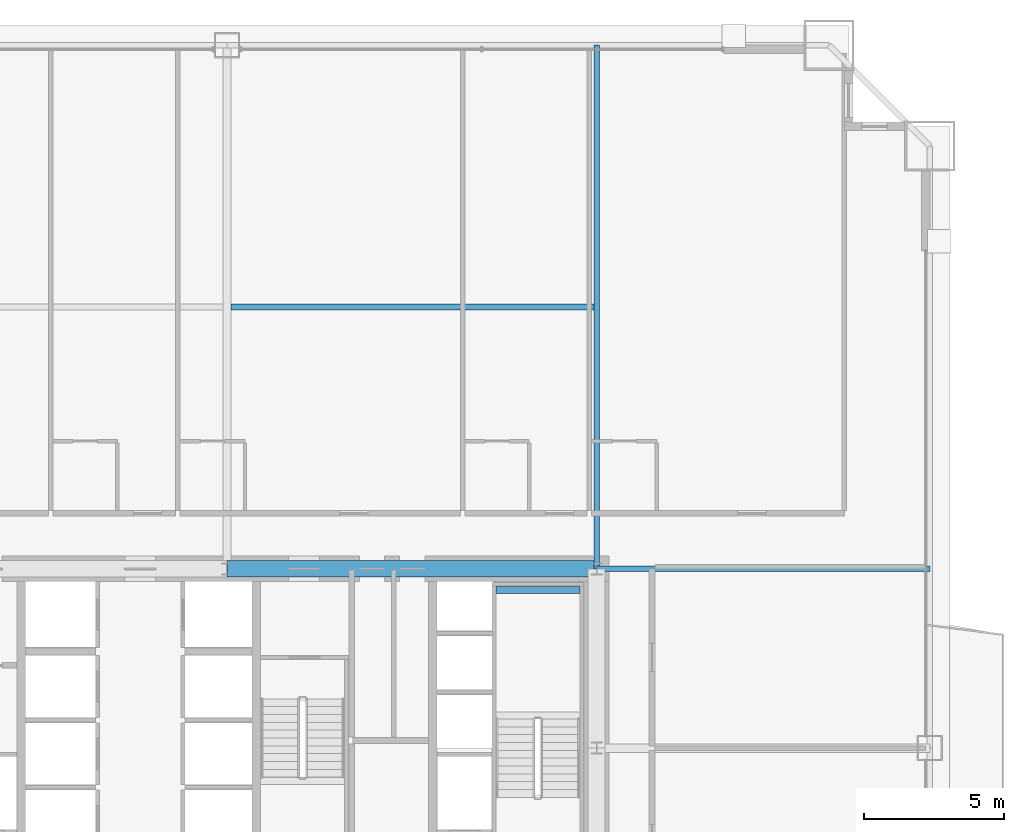
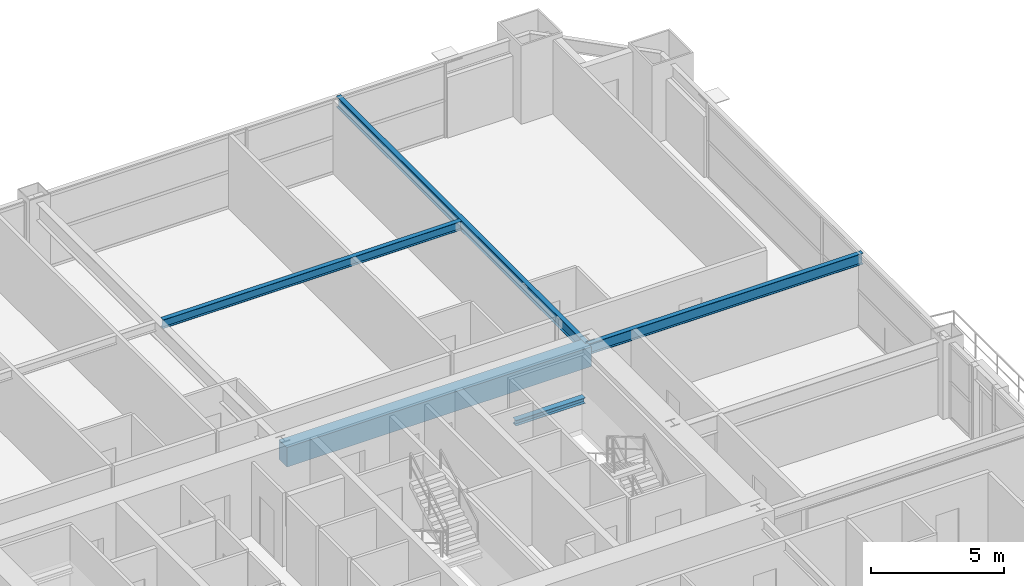
# One storey, part 30 of 43: 5 beams.
"""IFC4 building model written with IfcOpenShell, lengths in metres."""

import ifcopenshell
import ifcopenshell.guid

model = None  # the IFC model being written
_history = None  # IfcOwnerHistory: only IFC2X3 demands one
_inside = {}  # id of a spatial element -> (the spatial element, [elements in it])
_under = {}  # id of a project, library or spatial element -> (it, [spatial elements below it])
_declared = {}  # id of a project -> (the project, [libraries it declares])
_typed = {}  # id of a type object -> (the type object, [elements of that type])
_made_of = {}  # id of a material, layer set ... -> (it, [elements and type objects made of it])


def new_model(schema):
    """Start an empty IFC model of exactly this schema.

    Asked for "IFC4X3", IfcOpenShell would pick the latest addendum, in which some entities
    have other attributes; the version numbers below select the first issue.
    IFC2X3 requires an IfcOwnerHistory on every rooted entity: one is made here for all.
    """
    global model, _history
    if schema == "IFC4X3":
        model = ifcopenshell.file(schema_version=(4, 3, 0, 0))
    else:
        model = ifcopenshell.file(schema=schema)
    _inside.clear()
    _under.clear()
    _declared.clear()
    _typed.clear()
    _made_of.clear()
    _history = None
    if model.schema == "IFC2X3":
        org = make("IfcOrganization", Name="unknown")
        user = make(
            "IfcPersonAndOrganization",
            ThePerson=make("IfcPerson", FamilyName="unknown"),
            TheOrganization=org,
        )
        app = make(
            "IfcApplication",
            ApplicationDeveloper=org,
            Version="unknown",
            ApplicationFullName="unknown",
            ApplicationIdentifier="unknown",
        )
        _history = make(
            "IfcOwnerHistory",
            OwningUser=user,
            OwningApplication=app,
            ChangeAction="ADDED",
            CreationDate=0,
        )
    return model


def make(cls, **values):
    """One entity of the class cls with the attributes given. An attribute that is None is left unset."""
    return model.create_entity(
        cls, **{name: value for name, value in values.items() if value is not None}
    )


def rooted(cls, **values):
    """An entity with a GlobalId (a new one), such as an element, a storey or a relation."""
    return make(cls, GlobalId=ifcopenshell.guid.new(), OwnerHistory=_history, **values)


def si_unit(unit_type, name, prefix=None):
    """IfcSIUnit, for example si_unit("LENGTHUNIT", "METRE", prefix="MILLI")."""
    return make("IfcSIUnit", UnitType=unit_type, Prefix=prefix, Name=name)


def assignment(units):
    """IfcUnitAssignment: the units of a project."""
    return None if units is None else make("IfcUnitAssignment", Units=units)


def point(xyz):
    """IfcCartesianPoint."""
    return None if xyz is None else make("IfcCartesianPoint", Coordinates=xyz)


def direction(xyz):
    """IfcDirection."""
    return None if xyz is None else make("IfcDirection", DirectionRatios=xyz)


def frame(location, z_axis=None, x_axis=None):
    """IfcAxis2Placement3D, a coordinate frame: its origin and axes. An axis left out is left unset."""
    return make(
        "IfcAxis2Placement3D",
        Location=point(location),
        Axis=direction(z_axis),
        RefDirection=direction(x_axis),
    )


def frame_2d(location, x_axis=None):
    """IfcAxis2Placement2D, a coordinate frame in the plane: its origin and x axis."""
    return make(
        "IfcAxis2Placement2D", Location=point(location), RefDirection=direction(x_axis)
    )


def origin():
    """The frame at (0, 0, 0) with its axes left unset."""
    return frame((0.0, 0.0, 0.0))


def origin_2d():
    """The frame at (0, 0) in the plane with its x axis left unset."""
    return frame_2d((0.0, 0.0))


def place(relative_to, where):
    """IfcLocalPlacement: puts the frame where relative to a parent placement (None: the world)."""
    return make(
        "IfcLocalPlacement", PlacementRelTo=relative_to, RelativePlacement=where
    )


def context(
    kind, dimensions, precision=None, world=None, true_north=None, identifier=None
):
    """IfcGeometricRepresentationContext, for example the 3D "Model" context."""
    return make(
        "IfcGeometricRepresentationContext",
        ContextIdentifier=identifier,
        ContextType=kind,
        CoordinateSpaceDimension=dimensions,
        Precision=precision,
        WorldCoordinateSystem=world,
        TrueNorth=true_north,
    )


def subcontext(parent, identifier, kind, view, scale=None):
    """IfcGeometricRepresentationSubContext, for example "Body" below "Model"."""
    return make(
        "IfcGeometricRepresentationSubContext",
        ContextIdentifier=identifier,
        ContextType=kind,
        ParentContext=parent,
        TargetScale=scale,
        TargetView=view,
    )


def project(units=None, contexts=None):
    """IfcProject with its units and contexts."""
    return rooted(
        "IfcProject",
        Name="project",
        RepresentationContexts=contexts,
        UnitsInContext=assignment(units),
    )


def spatial(cls, under=None, at=None, **own):
    """A site, building, storey or space (cls), placed at a placement, below another one or the project."""
    s = rooted(cls, ObjectPlacement=at, **own)
    if under is not None:
        _under.setdefault(under.id(), (under, []))[1].append(s)
    return s


def profile(cls, at=None, kind="AREA", **sizes):
    """A parametric profile (cls). Its sizes go by their IFC names, for example OverallWidth=200.0."""
    return make(cls, ProfileType=kind, Position=at, **sizes)


def rectangle(**sizes):
    """IfcRectangleProfileDef."""
    return profile("IfcRectangleProfileDef", **sizes)


def i_section(**sizes):
    """IfcIShapeProfileDef."""
    return profile("IfcIShapeProfileDef", **sizes)


def extrude(swept, where, along, depth):
    """IfcExtrudedAreaSolid: the profile swept, set in the frame where, extruded along a direction by depth."""
    return make(
        "IfcExtrudedAreaSolid",
        SweptArea=swept,
        Position=where,
        ExtrudedDirection=direction(along),
        Depth=depth,
    )


def shape(context_of_items, identifier, shape_type, items):
    """IfcShapeRepresentation: the items that make up one representation, for example the "Body"."""
    return make(
        "IfcShapeRepresentation",
        ContextOfItems=context_of_items,
        RepresentationIdentifier=identifier,
        RepresentationType=shape_type,
        Items=items,
    )


def source(mapping_origin, context_of_items, identifier, shape_type, items):
    """IfcRepresentationMap: a shape defined once, which mapped items show again and again."""
    return make(
        "IfcRepresentationMap",
        MappingOrigin=mapping_origin,
        MappedRepresentation=shape(context_of_items, identifier, shape_type, items),
    )


def transform(
    local_origin,
    x_axis=None,
    y_axis=None,
    z_axis=None,
    scale=None,
    scale2=None,
    scale3=None,
    uniform=True,
):
    """IfcCartesianTransformationOperator3D, or its non-uniform kind. x_axis, y_axis, z_axis: its Axis1, 2, 3."""
    if uniform:
        return make(
            "IfcCartesianTransformationOperator3D",
            Axis1=direction(x_axis),
            Axis2=direction(y_axis),
            LocalOrigin=point(local_origin),
            Scale=scale,
            Axis3=direction(z_axis),
        )
    return make(
        "IfcCartesianTransformationOperator3DnonUniform",
        Axis1=direction(x_axis),
        Axis2=direction(y_axis),
        LocalOrigin=point(local_origin),
        Scale=scale,
        Axis3=direction(z_axis),
        Scale2=scale2,
        Scale3=scale3,
    )


def mapped(mapping_source, mapping_target):
    """IfcMappedItem: shows the shape of a source again, moved by a transform."""
    return make(
        "IfcMappedItem", MappingSource=mapping_source, MappingTarget=mapping_target
    )


def material(Name=None, Category=None):
    """IfcMaterial."""
    return make("IfcMaterial", Name=Name, Category=Category)


def material_profile(
    of_material, cross_section, Name=None, Category=None, Priority=None
):
    """IfcMaterialProfile: a cross section and its material."""
    return make(
        "IfcMaterialProfile",
        Name=Name,
        Material=of_material,
        Profile=cross_section,
        Priority=Priority,
        Category=Category,
    )


def profile_set(profiles, Name=None, composite=None):
    """IfcMaterialProfileSet."""
    return make(
        "IfcMaterialProfileSet",
        Name=Name,
        MaterialProfiles=profiles,
        CompositeProfile=composite,
    )


def made_of(thing, what):
    """Note that an element or type object is made of a material, layer set ...; save() writes the relation."""
    if what is not None:
        _made_of.setdefault(what.id(), (what, []))[1].append(thing)
    return thing


def type_object(cls, material=None, **own):
    """A type object (cls), such as IfcWallType, which elements share."""
    return made_of(rooted(cls, **own), material)


def element(
    cls,
    number,
    at=None,
    inside=None,
    cuts=None,
    type_object=None,
    material=None,
    context=None,
    identifier="Body",
    shape_type=None,
    held_by="IfcProductDefinitionShape",
    body=None,
    shapes=None,
    **own,
):
    """One element of the class cls, such as IfcWall. Its Tag is "e" and its number.

    at: its placement. inside: the storey or other place that contains it. cuts: it is an
    opening in that element (IfcRelVoidsElement). A single representation is given by context,
    identifier, shape_type and body (its items); several are given by shapes. held_by: the class
    of the entity that holds the representations. save() writes the other relations.
    """
    e = rooted(cls, Tag="e%d" % number, ObjectPlacement=at, **own)
    if body is not None:
        shapes = [shape(context, identifier, shape_type, body)]
    if shapes is not None:
        e.Representation = make(held_by, Representations=shapes)
    if inside is not None:
        _inside.setdefault(inside.id(), (inside, []))[1].append(e)
    if cuts is not None:
        rooted(
            "IfcRelVoidsElement", RelatingBuildingElement=cuts, RelatedOpeningElement=e
        )
    if type_object is not None:
        _typed.setdefault(type_object.id(), (type_object, []))[1].append(e)
    return made_of(e, material)


def aggregate(whole, parts):
    """IfcRelAggregates: a whole, such as a stair, and the parts it consists of."""
    return rooted("IfcRelAggregates", RelatingObject=whole, RelatedObjects=parts)


def save(model, path):
    """Write the relations noted so far, then the file.

    IfcRelAggregates (storeys below a building ...), IfcRelContainedInSpatialStructure (elements
    in a storey), IfcRelDefinesByType, IfcRelAssociatesMaterial and IfcRelDeclares: one each for
    every whole, place, type object, material and project.
    """
    for whole, parts in _under.values():
        aggregate(whole, parts)
    for where, things in _inside.values():
        rooted(
            "IfcRelContainedInSpatialStructure",
            RelatedElements=things,
            RelatingStructure=where,
        )
    for kind, things in _typed.values():
        rooted("IfcRelDefinesByType", RelatedObjects=things, RelatingType=kind)
    for what, things in _made_of.values():
        rooted("IfcRelAssociatesMaterial", RelatedObjects=things, RelatingMaterial=what)
    for by, libraries in _declared.values():
        rooted("IfcRelDeclares", RelatingContext=by, RelatedDefinitions=libraries)
    model.write(path)


model = new_model("IFC4")

# Units and contexts
model_context = context("Model", 3, precision=1e-05, world=origin(), true_north=direction((0.0, 1.0)))
body_context = subcontext(model_context, "Body", "Model", "MODEL_VIEW")
ifc_project = project(units=[si_unit("LENGTHUNIT", "METRE"), si_unit("AREAUNIT", "SQUARE_METRE"), si_unit("VOLUMEUNIT", "CUBIC_METRE"), si_unit("PLANEANGLEUNIT", "RADIAN"), si_unit("MASSUNIT", "GRAM", prefix="KILO"), si_unit("THERMODYNAMICTEMPERATUREUNIT", "KELVIN"), si_unit("POWERUNIT", "WATT")], contexts=[model_context])

# Site, building, storey
site_placement = place(None, origin())
site = spatial("IfcSite", under=ifc_project, at=site_placement, CompositionType="ELEMENT")
building_placement = place(site_placement, origin())
building = spatial("IfcBuilding", under=site, at=building_placement, Name="Yuzanri Waterfront Tower", CompositionType="ELEMENT")
storey_placement = place(building_placement, frame((0.0, 0.0, 71.199951171875)))
storey = spatial("IfcBuildingStorey", under=building, at=storey_placement, Name="L18", CompositionType="ELEMENT", Elevation=71.199951171875)

# Beams
ifc_material_1 = material(Name="Concrete C60", Category="concrete")
ifc_material_profile_1 = material_profile(ifc_material_1, rectangle(XDim=0.60009765625, YDim=0.89990234375, at=origin_2d()), Name="RC 600x900")
ifc_profile_set_1 = profile_set([ifc_material_profile_1], Name="Concrete C60")
beam_type_1 = type_object("IfcBeamType", Name="Core Coupling Lintel Concrete C60 600x900", PredefinedType="LINTEL", material=ifc_profile_set_1)
shared_shape_1 = source(origin(), body_context, "Body", "SweptSolid", [
    extrude(rectangle(XDim=0.60009765625, YDim=0.89990234375, at=origin_2d()), origin(), (0.0, 0.0, 1.0), 13.199951171875),
])
beam_1_placement = place(storey_placement, frame((37.0, 32.199951171875, 2.929931640625), z_axis=(1.0, 0.0, 0.0), x_axis=(0.0, 1.0, 0.0)))
element("IfcBeam", 1, at=beam_1_placement, inside=storey, type_object=beam_type_1, Name="L18 Core Tie Beam CN2", PredefinedType="LINTEL", context=body_context, shape_type="MappedRepresentation", body=[
    mapped(shared_shape_1, transform((0.0, 0.0, 0.0), scale=1.0)),
])
ifc_material_2 = material(Name="Steel Q355B", Category="steel")
ifc_material_profile_2 = material_profile(ifc_material_2, i_section(OverallWidth=0.199951171875, OverallDepth=0.5, WebThickness=0.010009765625, FlangeThickness=0.01611328125, at=origin_2d()), Name="HN 500x200x10x16")
ifc_profile_set_2 = profile_set([ifc_material_profile_2], Name="Steel Q355B")
beam_type_2 = type_object("IfcBeamType", Name="Secondary Floor Beam Q355B HN 500x200", PredefinedType="BEAM", material=ifc_profile_set_2)
shared_shape_2 = source(origin(), body_context, "Body", "SweptSolid", [
    extrude(i_section(OverallWidth=0.199951171875, OverallDepth=0.5, WebThickness=0.010009765625, FlangeThickness=0.01611328125, at=origin_2d()), origin(), (0.0, 0.0, 1.0), 18.699951171875),
])
beam_2_placement = place(storey_placement, frame((50.199951171875, 32.199951171875, 3.130126953125), z_axis=(0.0, 1.0, 0.0), x_axis=(-1.0, 0.0, 0.0)))
element("IfcBeam", 2, at=beam_2_placement, inside=storey, type_object=beam_type_2, Name="L18 North-East Core Line Beam", PredefinedType="BEAM", context=body_context, shape_type="MappedRepresentation", body=[
    mapped(shared_shape_2, transform((0.0, 0.0, 0.0), scale=1.0)),
])
shared_shape_3 = source(origin(), body_context, "Body", "SweptSolid", [
    extrude(i_section(OverallWidth=0.199951171875, OverallDepth=0.5, WebThickness=0.010009765625, FlangeThickness=0.01611328125, at=origin_2d()), origin(), (0.0, 0.0, 1.0), 11.900146484375),
])
beam_3_placement = place(storey_placement, frame((50.199951171875, 32.199951171875, 3.130126953125), z_axis=(1.0, 0.0, 0.0), x_axis=(0.0, 1.0, 0.0)))
element("IfcBeam", 3, at=beam_3_placement, inside=storey, type_object=beam_type_2, Name="L18 East-North Core Line Beam", PredefinedType="BEAM", context=body_context, shape_type="MappedRepresentation", body=[
    mapped(shared_shape_3, transform((0.0, 0.0, 0.0), scale=1.0)),
])
ifc_material_3 = material(Name="Steel Q355B", Category="steel")
ifc_material_profile_3 = material_profile(ifc_material_3, i_section(OverallWidth=0.199951171875, OverallDepth=0.39990234375, WebThickness=0.008056640625, FlangeThickness=0.012939453125, at=origin_2d()), Name="HN 400x200x8x13")
ifc_profile_set_3 = profile_set([ifc_material_profile_3], Name="Steel Q355B")
beam_type_3 = type_object("IfcBeamType", Name="Floor Joist Q355B HN 400x200", PredefinedType="JOIST", material=ifc_profile_set_3)
shared_shape_4 = source(origin(), body_context, "Body", "SweptSolid", [
    extrude(i_section(OverallWidth=0.199951171875, OverallDepth=0.39990234375, WebThickness=0.008056640625, FlangeThickness=0.012939453125, at=origin_2d()), origin(), (0.0, 0.0, 1.0), 12.9501953125),
])
beam_4_placement = place(storey_placement, frame((37.14990234375, 41.550048828125, 3.179931640625), z_axis=(1.0, 0.0, 0.0), x_axis=(0.0, 1.0, 0.0)))
element("IfcBeam", 4, at=beam_4_placement, inside=storey, type_object=beam_type_3, Name="L18 North Bay Joist E", PredefinedType="JOIST", context=body_context, shape_type="MappedRepresentation", body=[
    mapped(shared_shape_4, transform((0.0, 0.0, 0.0), scale=1.0)),
])
ifc_material_4 = material(Name="Steel Q355B", Category="steel")
ifc_material_profile_4 = material_profile(ifc_material_4, i_section(OverallWidth=0.25, OverallDepth=0.25, WebThickness=0.009033203125, FlangeThickness=0.013916015625, at=origin_2d()), Name="HW 250x250x9x14")
ifc_profile_set_4 = profile_set([ifc_material_profile_4], Name="Steel Q355B")
beam_type_4 = type_object("IfcBeamType", Name="Stair Landing Support Beam Q355B HW 250x250", PredefinedType="BEAM", material=ifc_profile_set_4)
shared_shape_5 = source(origin(), body_context, "Body", "SweptSolid", [
    extrude(i_section(OverallWidth=0.25, OverallDepth=0.25, WebThickness=0.009033203125, FlangeThickness=0.013916015625, at=origin_2d()), origin(), (0.0, 0.0, 1.0), 3.0),
])
beam_5_placement = place(storey_placement, frame((46.60009765625, 31.449951171875, 1.47509765625), z_axis=(1.0, 0.0, 0.0), x_axis=(0.0, 1.0, 0.0)))
element("IfcBeam", 5, at=beam_5_placement, inside=storey, type_object=beam_type_4, Name="L18 Stair Landing Support Beam ST-02-L18-L1-2", PredefinedType="BEAM", context=body_context, shape_type="MappedRepresentation", body=[
    mapped(shared_shape_5, transform((0.0, 0.0, 0.0), scale=1.0)),
])

save(model, "model.ifc")
